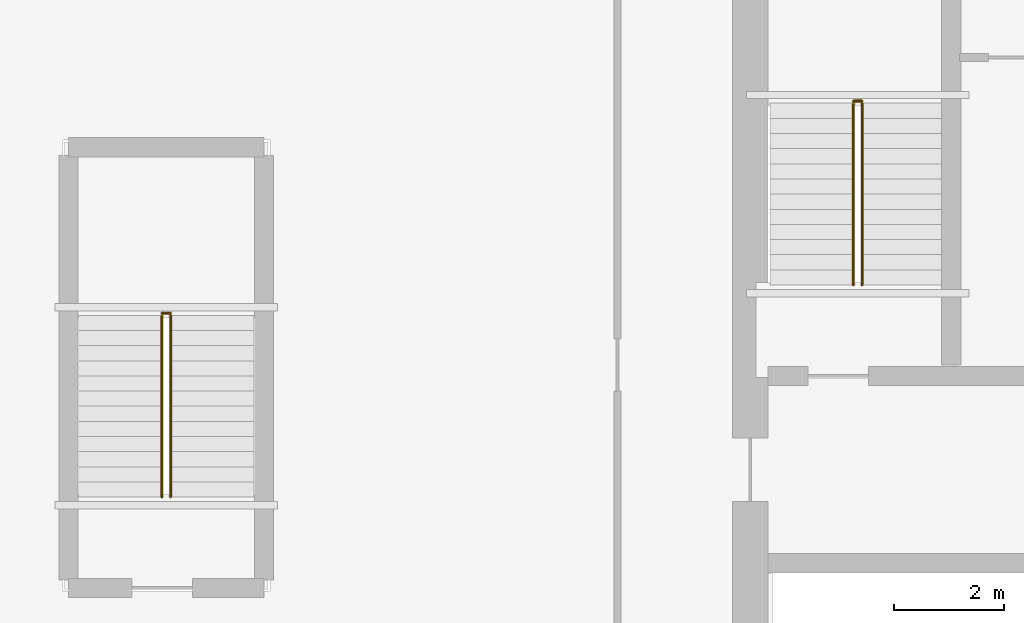
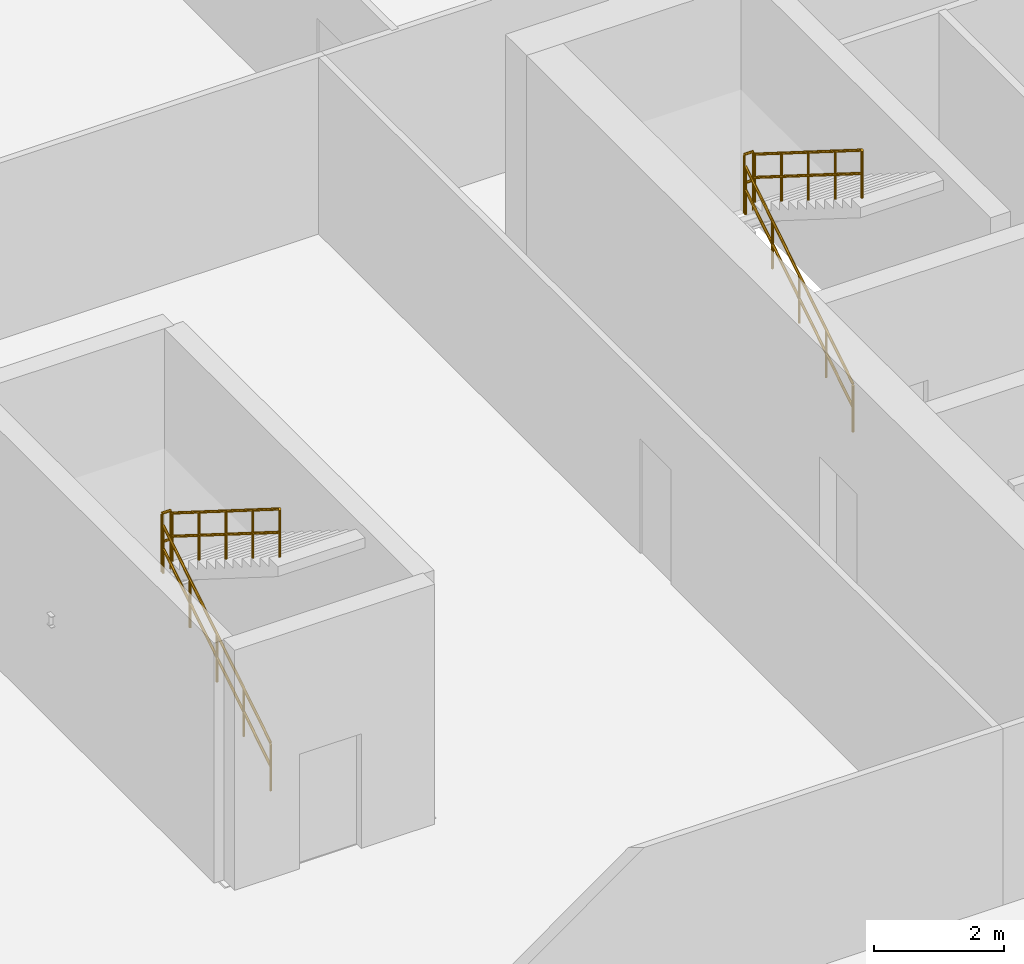
# One storey, part 7 of 10: 6 railings.
"""IFC4 building model written with IfcOpenShell, lengths in metres."""

from ifc_helpers import new_model, si_unit, direction, frame, origin, origin_2d, place, context, subcontext, project, spatial, circle, extrude, material, type_object, element, save


model = new_model("IFC4")

# Units and contexts
model_context = context("Model", 3, precision=1e-05, world=origin(), true_north=direction((0.0, 1.0)))
body_context = subcontext(model_context, "Body", "Model", "MODEL_VIEW")
ifc_project = project(units=[si_unit("LENGTHUNIT", "METRE"), si_unit("AREAUNIT", "SQUARE_METRE"), si_unit("VOLUMEUNIT", "CUBIC_METRE"), si_unit("PLANEANGLEUNIT", "RADIAN"), si_unit("MASSUNIT", "GRAM", prefix="KILO")], contexts=[model_context])

# Site, building, storey
site_placement = place(None, origin())
site = spatial("IfcSite", under=ifc_project, at=site_placement, CompositionType="ELEMENT")
building_placement = place(site_placement, origin())
building = spatial("IfcBuilding", under=site, at=building_placement, Name="Caelvoria Tower", CompositionType="ELEMENT")
storey_placement = place(building_placement, frame((0.0, 0.0, 14.0)))
storey = spatial("IfcBuildingStorey", under=building, at=storey_placement, Name="L03", CompositionType="ELEMENT", Elevation=14.0)

# Railings
ifc_material_1 = material(Name="Brushed Stainless Steel Tube", Category="steel")
railing_type_1 = type_object("IfcRailingType", Name="Stair Tubular Stainless Handrail 920", PredefinedType="HANDRAIL", material=ifc_material_1)
railing_1_placement = place(storey_placement, frame((38.8701171875, 33.449951171875, 0.173095703125)))
element("IfcRailing", 1, at=railing_1_placement, inside=storey, type_object=railing_type_1, Name="ST-01 Flight 1 Handrail L03", PredefinedType="HANDRAIL", context=body_context, shape_type="SweptSolid", body=[
    extrude(circle(Radius=0.02392578125, at=origin_2d()), frame((0.0, 0.0, 0.89599609375), z_axis=(0.0, 0.846337383501, 0.532647194011), x_axis=(-1.0, 0.0, 0.0)), (0.0, 0.0, 1.0), 3.899169921875),
    extrude(circle(Radius=0.02392578125, at=origin_2d()), frame((0.0, 0.0, 0.4599609375), z_axis=(0.0, 0.846337383501, 0.532647194011), x_axis=(-1.0, 0.0, 0.0)), (0.0, 0.0, 1.0), 3.899169921875),
    extrude(circle(Radius=0.02099609375, at=origin_2d()), origin(), (0.0, 0.0, 1.0), 0.871826171875),
    extrude(circle(Radius=0.02099609375, at=origin_2d()), frame((0.0, 0.824951171875, 0.519287109375)), (0.0, 0.0, 1.0), 0.871826171875),
    extrude(circle(Radius=0.02099609375, at=origin_2d()), frame((0.0, 1.64990234375, 1.03857421875)), (0.0, 0.0, 1.0), 0.871826171875),
    extrude(circle(Radius=0.02099609375, at=origin_2d()), frame((0.0, 2.47509765625, 1.5576171875)), (0.0, 0.0, 1.0), 0.871826171875),
    extrude(circle(Radius=0.02099609375, at=origin_2d()), frame((0.0, 3.300048828125, 2.076904296875)), (0.0, 0.0, 1.0), 0.871826171875),
])
railing_2_placement = place(storey_placement, frame((39.030029296875, 36.75, 2.423095703125)))
element("IfcRailing", 2, at=railing_2_placement, inside=storey, type_object=railing_type_1, Name="ST-01 Flight 2 Handrail L03", PredefinedType="HANDRAIL", context=body_context, shape_type="SweptSolid", body=[
    extrude(circle(Radius=0.02392578125, at=origin_2d()), frame((0.0, 0.0, 0.89599609375), z_axis=(0.0, -0.846337383501, 0.532647194011), x_axis=(1.0, 0.0, 0.0)), (0.0, 0.0, 1.0), 3.899169921875),
    extrude(circle(Radius=0.02392578125, at=origin_2d()), frame((0.0, 0.0, 0.4599609375), z_axis=(0.0, -0.846337383501, 0.532647194011), x_axis=(1.0, 0.0, 0.0)), (0.0, 0.0, 1.0), 3.899169921875),
    extrude(circle(Radius=0.02099609375, at=origin_2d()), origin(), (0.0, 0.0, 1.0), 0.871826171875),
    extrude(circle(Radius=0.02099609375, at=origin_2d()), frame((0.0, -0.824951171875, 0.519287109375)), (0.0, 0.0, 1.0), 0.871826171875),
    extrude(circle(Radius=0.02099609375, at=origin_2d()), frame((0.0, -1.64990234375, 1.03857421875)), (0.0, 0.0, 1.0), 0.871826171875),
    extrude(circle(Radius=0.02099609375, at=origin_2d()), frame((0.0, -2.47509765625, 1.5576171875)), (0.0, 0.0, 1.0), 0.871826171875),
    extrude(circle(Radius=0.02099609375, at=origin_2d()), frame((0.0, -3.300048828125, 2.076904296875)), (0.0, 0.0, 1.0), 0.871826171875),
])
railing_3_placement = place(storey_placement, frame((26.320068359375, 29.60009765625, 0.173095703125)))
element("IfcRailing", 3, at=railing_3_placement, inside=storey, type_object=railing_type_1, Name="ST-03 Flight 1 Handrail L03", PredefinedType="HANDRAIL", context=body_context, shape_type="SweptSolid", body=[
    extrude(circle(Radius=0.02392578125, at=origin_2d()), frame((0.0, 0.0, 0.89599609375), z_axis=(0.0, 0.846319618018, 0.532675421018), x_axis=(-1.0, 0.0, 0.0)), (0.0, 0.0, 1.0), 3.89892578125),
    extrude(circle(Radius=0.02392578125, at=origin_2d()), frame((0.0, 0.0, 0.4599609375), z_axis=(0.0, 0.846319618018, 0.532675421018), x_axis=(-1.0, 0.0, 0.0)), (0.0, 0.0, 1.0), 3.89892578125),
    extrude(circle(Radius=0.02099609375, at=origin_2d()), origin(), (0.0, 0.0, 1.0), 0.871826171875),
    extrude(circle(Radius=0.02099609375, at=origin_2d()), frame((0.0, 0.824951171875, 0.519287109375)), (0.0, 0.0, 1.0), 0.871826171875),
    extrude(circle(Radius=0.02099609375, at=origin_2d()), frame((0.0, 1.64990234375, 1.03857421875)), (0.0, 0.0, 1.0), 0.871826171875),
    extrude(circle(Radius=0.02099609375, at=origin_2d()), frame((0.0, 2.474853515625, 1.5576171875)), (0.0, 0.0, 1.0), 0.871826171875),
    extrude(circle(Radius=0.02099609375, at=origin_2d()), frame((0.0, 3.2998046875, 2.076904296875)), (0.0, 0.0, 1.0), 0.871826171875),
])
railing_4_placement = place(storey_placement, frame((26.47998046875, 32.89990234375, 2.423095703125)))
element("IfcRailing", 4, at=railing_4_placement, inside=storey, type_object=railing_type_1, Name="ST-03 Flight 2 Handrail L03", PredefinedType="HANDRAIL", context=body_context, shape_type="SweptSolid", body=[
    extrude(circle(Radius=0.02392578125, at=origin_2d()), frame((0.0, 0.0, 0.89599609375), z_axis=(0.0, -0.846319618018, 0.532675421018), x_axis=(1.0, 0.0, 0.0)), (0.0, 0.0, 1.0), 3.89892578125),
    extrude(circle(Radius=0.02392578125, at=origin_2d()), frame((0.0, 0.0, 0.4599609375), z_axis=(0.0, -0.846319618018, 0.532675421018), x_axis=(1.0, 0.0, 0.0)), (0.0, 0.0, 1.0), 3.89892578125),
    extrude(circle(Radius=0.02099609375, at=origin_2d()), origin(), (0.0, 0.0, 1.0), 0.871826171875),
    extrude(circle(Radius=0.02099609375, at=origin_2d()), frame((0.0, -0.824951171875, 0.519287109375)), (0.0, 0.0, 1.0), 0.871826171875),
    extrude(circle(Radius=0.02099609375, at=origin_2d()), frame((0.0, -1.64990234375, 1.03857421875)), (0.0, 0.0, 1.0), 0.871826171875),
    extrude(circle(Radius=0.02099609375, at=origin_2d()), frame((0.0, -2.474853515625, 1.5576171875)), (0.0, 0.0, 1.0), 0.871826171875),
    extrude(circle(Radius=0.02099609375, at=origin_2d()), frame((0.0, -3.2998046875, 2.076904296875)), (0.0, 0.0, 1.0), 0.871826171875),
])
ifc_material_2 = material(Name="Brushed Stainless Steel Guardrail", Category="steel")
railing_type_2 = type_object("IfcRailingType", Name="Stair Well and Ramp Guardrail 1120", PredefinedType="GUARDRAIL", material=ifc_material_2)
for number, where, name in (
    (5, (38.8701171875, 36.7900390625, 2.25), "ST-01 Half-Landing Well Guard L03"),
    (6, (26.320068359375, 32.93994140625, 2.25), "ST-03 Half-Landing Well Guard L03"),
):
    element("IfcRailing", number, at=place(storey_placement, frame(where)), inside=storey, type_object=railing_type_2, Name=name, PredefinedType="GUARDRAIL", context=body_context, shape_type="SweptSolid", body=[
        extrude(circle(Radius=0.02392578125, at=origin_2d()), frame((0.0, 0.0, 1.09619140625), z_axis=(1.0, 0.0, 0.0), x_axis=(0.0, 1.0, 0.0)), (0.0, 0.0, 1.0), 0.159912109375),
        extrude(circle(Radius=0.02392578125, at=origin_2d()), frame((0.0, 0.0, 0.56005859375), z_axis=(1.0, 0.0, 0.0), x_axis=(0.0, 1.0, 0.0)), (0.0, 0.0, 1.0), 0.159912109375),
        extrude(circle(Radius=0.02099609375, at=origin_2d()), origin(), (0.0, 0.0, 1.0), 1.072021484375),
        extrude(circle(Radius=0.02099609375, at=origin_2d()), frame((0.159912109375, 0.0, 0.0)), (0.0, 0.0, 1.0), 1.072021484375),
    ])

save(model, "model.ifc")
